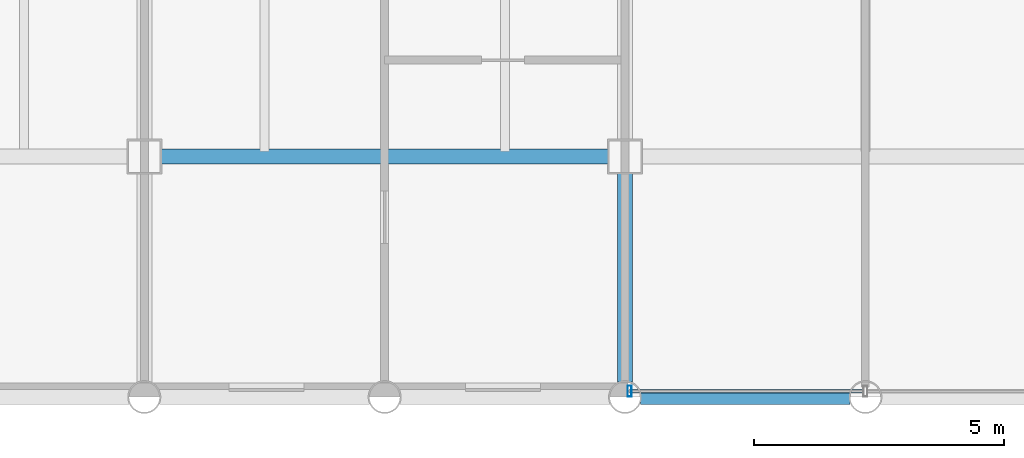
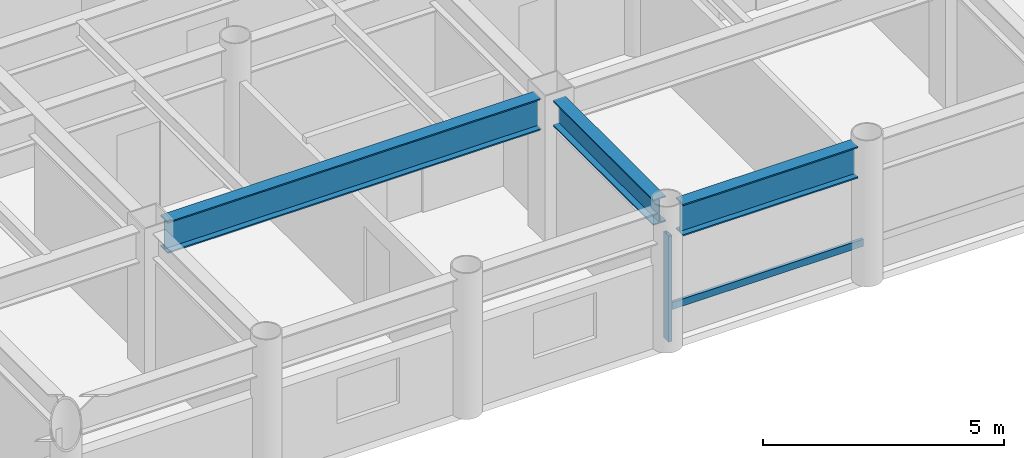
# One storey, part 2 of 20: 3 beams, 2 members, 1 element without a shape of its own.
"""IFC4 building model written with IfcOpenShell, lengths in metres."""

import ifcopenshell
import ifcopenshell.guid

model = None  # the IFC model being written
_history = None  # IfcOwnerHistory: only IFC2X3 demands one
_inside = {}  # id of a spatial element -> (the spatial element, [elements in it])
_under = {}  # id of a project, library or spatial element -> (it, [spatial elements below it])
_declared = {}  # id of a project -> (the project, [libraries it declares])
_typed = {}  # id of a type object -> (the type object, [elements of that type])
_made_of = {}  # id of a material, layer set ... -> (it, [elements and type objects made of it])


def new_model(schema):
    """Start an empty IFC model of exactly this schema.

    Asked for "IFC4X3", IfcOpenShell would pick the latest addendum, in which some entities
    have other attributes; the version numbers below select the first issue.
    IFC2X3 requires an IfcOwnerHistory on every rooted entity: one is made here for all.
    """
    global model, _history
    if schema == "IFC4X3":
        model = ifcopenshell.file(schema_version=(4, 3, 0, 0))
    else:
        model = ifcopenshell.file(schema=schema)
    _inside.clear()
    _under.clear()
    _declared.clear()
    _typed.clear()
    _made_of.clear()
    _history = None
    if model.schema == "IFC2X3":
        org = make("IfcOrganization", Name="unknown")
        user = make(
            "IfcPersonAndOrganization",
            ThePerson=make("IfcPerson", FamilyName="unknown"),
            TheOrganization=org,
        )
        app = make(
            "IfcApplication",
            ApplicationDeveloper=org,
            Version="unknown",
            ApplicationFullName="unknown",
            ApplicationIdentifier="unknown",
        )
        _history = make(
            "IfcOwnerHistory",
            OwningUser=user,
            OwningApplication=app,
            ChangeAction="ADDED",
            CreationDate=0,
        )
    return model


def make(cls, **values):
    """One entity of the class cls with the attributes given. An attribute that is None is left unset."""
    return model.create_entity(
        cls, **{name: value for name, value in values.items() if value is not None}
    )


def rooted(cls, **values):
    """An entity with a GlobalId (a new one), such as an element, a storey or a relation."""
    return make(cls, GlobalId=ifcopenshell.guid.new(), OwnerHistory=_history, **values)


def si_unit(unit_type, name, prefix=None):
    """IfcSIUnit, for example si_unit("LENGTHUNIT", "METRE", prefix="MILLI")."""
    return make("IfcSIUnit", UnitType=unit_type, Prefix=prefix, Name=name)


def assignment(units):
    """IfcUnitAssignment: the units of a project."""
    return None if units is None else make("IfcUnitAssignment", Units=units)


def point(xyz):
    """IfcCartesianPoint."""
    return None if xyz is None else make("IfcCartesianPoint", Coordinates=xyz)


def direction(xyz):
    """IfcDirection."""
    return None if xyz is None else make("IfcDirection", DirectionRatios=xyz)


def frame(location, z_axis=None, x_axis=None):
    """IfcAxis2Placement3D, a coordinate frame: its origin and axes. An axis left out is left unset."""
    return make(
        "IfcAxis2Placement3D",
        Location=point(location),
        Axis=direction(z_axis),
        RefDirection=direction(x_axis),
    )


def frame_2d(location, x_axis=None):
    """IfcAxis2Placement2D, a coordinate frame in the plane: its origin and x axis."""
    return make(
        "IfcAxis2Placement2D", Location=point(location), RefDirection=direction(x_axis)
    )


def origin():
    """The frame at (0, 0, 0) with its axes left unset."""
    return frame((0.0, 0.0, 0.0))


def origin_2d():
    """The frame at (0, 0) in the plane with its x axis left unset."""
    return frame_2d((0.0, 0.0))


def place(relative_to, where):
    """IfcLocalPlacement: puts the frame where relative to a parent placement (None: the world)."""
    return make(
        "IfcLocalPlacement", PlacementRelTo=relative_to, RelativePlacement=where
    )


def context(
    kind, dimensions, precision=None, world=None, true_north=None, identifier=None
):
    """IfcGeometricRepresentationContext, for example the 3D "Model" context."""
    return make(
        "IfcGeometricRepresentationContext",
        ContextIdentifier=identifier,
        ContextType=kind,
        CoordinateSpaceDimension=dimensions,
        Precision=precision,
        WorldCoordinateSystem=world,
        TrueNorth=true_north,
    )


def subcontext(parent, identifier, kind, view, scale=None):
    """IfcGeometricRepresentationSubContext, for example "Body" below "Model"."""
    return make(
        "IfcGeometricRepresentationSubContext",
        ContextIdentifier=identifier,
        ContextType=kind,
        ParentContext=parent,
        TargetScale=scale,
        TargetView=view,
    )


def project(units=None, contexts=None):
    """IfcProject with its units and contexts."""
    return rooted(
        "IfcProject",
        Name="project",
        RepresentationContexts=contexts,
        UnitsInContext=assignment(units),
    )


def spatial(cls, under=None, at=None, **own):
    """A site, building, storey or space (cls), placed at a placement, below another one or the project."""
    s = rooted(cls, ObjectPlacement=at, **own)
    if under is not None:
        _under.setdefault(under.id(), (under, []))[1].append(s)
    return s


def profile(cls, at=None, kind="AREA", **sizes):
    """A parametric profile (cls). Its sizes go by their IFC names, for example OverallWidth=200.0."""
    return make(cls, ProfileType=kind, Position=at, **sizes)


def hollow_rectangle(**sizes):
    """IfcRectangleHollowProfileDef."""
    return profile("IfcRectangleHollowProfileDef", **sizes)


def i_section(**sizes):
    """IfcIShapeProfileDef."""
    return profile("IfcIShapeProfileDef", **sizes)


def extrude(swept, where, along, depth):
    """IfcExtrudedAreaSolid: the profile swept, set in the frame where, extruded along a direction by depth."""
    return make(
        "IfcExtrudedAreaSolid",
        SweptArea=swept,
        Position=where,
        ExtrudedDirection=direction(along),
        Depth=depth,
    )


def shape(context_of_items, identifier, shape_type, items):
    """IfcShapeRepresentation: the items that make up one representation, for example the "Body"."""
    return make(
        "IfcShapeRepresentation",
        ContextOfItems=context_of_items,
        RepresentationIdentifier=identifier,
        RepresentationType=shape_type,
        Items=items,
    )


def material(Name=None, Category=None):
    """IfcMaterial."""
    return make("IfcMaterial", Name=Name, Category=Category)


def layer(
    of_material, thickness, ventilated=None, Name=None, Category=None, Priority=None
):
    """IfcMaterialLayer: one layer of a wall or slab, of a material (None: an air gap)."""
    return make(
        "IfcMaterialLayer",
        Material=of_material,
        LayerThickness=thickness,
        IsVentilated=ventilated,
        Name=Name,
        Category=Category,
        Priority=Priority,
    )


def layer_set(layers, Name=None):
    """IfcMaterialLayerSet."""
    return make("IfcMaterialLayerSet", MaterialLayers=layers, LayerSetName=Name)


def material_profile(
    of_material, cross_section, Name=None, Category=None, Priority=None
):
    """IfcMaterialProfile: a cross section and its material."""
    return make(
        "IfcMaterialProfile",
        Name=Name,
        Material=of_material,
        Profile=cross_section,
        Priority=Priority,
        Category=Category,
    )


def profile_set(profiles, Name=None, composite=None):
    """IfcMaterialProfileSet."""
    return make(
        "IfcMaterialProfileSet",
        Name=Name,
        MaterialProfiles=profiles,
        CompositeProfile=composite,
    )


def made_of(thing, what):
    """Note that an element or type object is made of a material, layer set ...; save() writes the relation."""
    if what is not None:
        _made_of.setdefault(what.id(), (what, []))[1].append(thing)
    return thing


def type_object(cls, material=None, **own):
    """A type object (cls), such as IfcWallType, which elements share."""
    return made_of(rooted(cls, **own), material)


def element(
    cls,
    number,
    at=None,
    inside=None,
    cuts=None,
    type_object=None,
    material=None,
    context=None,
    identifier="Body",
    shape_type=None,
    held_by="IfcProductDefinitionShape",
    body=None,
    shapes=None,
    **own,
):
    """One element of the class cls, such as IfcWall. Its Tag is "e" and its number.

    at: its placement. inside: the storey or other place that contains it. cuts: it is an
    opening in that element (IfcRelVoidsElement). A single representation is given by context,
    identifier, shape_type and body (its items); several are given by shapes. held_by: the class
    of the entity that holds the representations. save() writes the other relations.
    """
    e = rooted(cls, Tag="e%d" % number, ObjectPlacement=at, **own)
    if body is not None:
        shapes = [shape(context, identifier, shape_type, body)]
    if shapes is not None:
        e.Representation = make(held_by, Representations=shapes)
    if inside is not None:
        _inside.setdefault(inside.id(), (inside, []))[1].append(e)
    if cuts is not None:
        rooted(
            "IfcRelVoidsElement", RelatingBuildingElement=cuts, RelatedOpeningElement=e
        )
    if type_object is not None:
        _typed.setdefault(type_object.id(), (type_object, []))[1].append(e)
    return made_of(e, material)


def aggregate(whole, parts):
    """IfcRelAggregates: a whole, such as a stair, and the parts it consists of."""
    return rooted("IfcRelAggregates", RelatingObject=whole, RelatedObjects=parts)


def save(model, path):
    """Write the relations noted so far, then the file.

    IfcRelAggregates (storeys below a building ...), IfcRelContainedInSpatialStructure (elements
    in a storey), IfcRelDefinesByType, IfcRelAssociatesMaterial and IfcRelDeclares: one each for
    every whole, place, type object, material and project.
    """
    for whole, parts in _under.values():
        aggregate(whole, parts)
    for where, things in _inside.values():
        rooted(
            "IfcRelContainedInSpatialStructure",
            RelatedElements=things,
            RelatingStructure=where,
        )
    for kind, things in _typed.values():
        rooted("IfcRelDefinesByType", RelatedObjects=things, RelatingType=kind)
    for what, things in _made_of.values():
        rooted("IfcRelAssociatesMaterial", RelatedObjects=things, RelatingMaterial=what)
    for by, libraries in _declared.values():
        rooted("IfcRelDeclares", RelatingContext=by, RelatedDefinitions=libraries)
    model.write(path)


model = new_model("IFC4")

# Units and contexts
model_context = context("Model", 3, precision=1e-05, world=origin(), true_north=direction((0.0, 1.0)))
body_context = subcontext(model_context, "Body", "Model", "MODEL_VIEW")
ifc_project = project(units=[si_unit("LENGTHUNIT", "METRE"), si_unit("AREAUNIT", "SQUARE_METRE"), si_unit("VOLUMEUNIT", "CUBIC_METRE"), si_unit("PLANEANGLEUNIT", "RADIAN"), si_unit("MASSUNIT", "GRAM", prefix="KILO")], contexts=[model_context])

# Site, building, storey
site_placement = place(None, origin())
site = spatial("IfcSite", under=ifc_project, at=site_placement, CompositionType="ELEMENT")
building_placement = place(site_placement, origin())
building = spatial("IfcBuilding", under=site, at=building_placement, Name="Kallvorn Hotel Tower", CompositionType="ELEMENT")
storey_placement = place(building_placement, frame((0.0, 0.0, 143.300048828125)))
storey = spatial("IfcBuildingStorey", under=building, at=storey_placement, Name="L35", CompositionType="ELEMENT", Elevation=143.300048828125)

# Beams
ifc_material_1 = material(Name="Structural steel S355JR", Category="steel")
ifc_material_profile_1 = material_profile(ifc_material_1, i_section(OverallWidth=0.300048828125, OverallDepth=0.64990234375, WebThickness=0.01611328125, FlangeThickness=0.031005859375, at=origin_2d()), Name="HE 650 B")
ifc_profile_set_1 = profile_set([ifc_material_profile_1], Name="Structural steel S355JR")
beam_type_1 = type_object("IfcBeamType", Name="BM_HE650B", PredefinedType="BEAM", material=ifc_profile_set_1)
beam_1_placement = place(storey_placement, frame((-4.800048828125, -18.89501953125, 3.195068359375), z_axis=(0.0, 1.0, 0.0), x_axis=(-1.0, 0.0, 0.0)))
element("IfcBeam", 1, at=beam_1_placement, inside=storey, type_object=beam_type_1, Name="L36 Primary Y-Girder 106", PredefinedType="BEAM", context=body_context, shape_type="SweptSolid", body=[
    extrude(i_section(OverallWidth=0.300048828125, OverallDepth=0.64990234375, WebThickness=0.01611328125, FlangeThickness=0.031005859375, at=origin_2d()), origin(), (0.0, 0.0, 1.0), 4.169921875),
])
ifc_material_2 = material(Name="Structural steel S355JR", Category="steel")
ifc_material_profile_2 = material_profile(ifc_material_2, i_section(OverallWidth=0.300048828125, OverallDepth=0.800048828125, WebThickness=0.017578125, FlangeThickness=0.032958984375, at=origin_2d()), Name="HE 800 B")
ifc_profile_set_2 = profile_set([ifc_material_profile_2], Name="Structural steel S355JR")
beam_type_2 = type_object("IfcBeamType", Name="BM_HE800B", PredefinedType="BEAM", material=ifc_profile_set_2)
beam_2_placement = place(storey_placement, frame((-4.4951171875, -19.199951171875, 3.119873046875), z_axis=(1.0, 0.0, 0.0), x_axis=(0.0, 1.0, 0.0)))
element("IfcBeam", 2, at=beam_2_placement, inside=storey, type_object=beam_type_2, Name="L36 Primary X-Girder 06", PredefinedType="BEAM", context=body_context, shape_type="SweptSolid", body=[
    extrude(i_section(OverallWidth=0.300048828125, OverallDepth=0.800048828125, WebThickness=0.017578125, FlangeThickness=0.032958984375, at=origin_2d()), origin(), (0.0, 0.0, 1.0), 4.190185546875),
])
beam_3_placement = place(storey_placement, frame((-14.074951171875, -14.39990234375, 3.119873046875), z_axis=(1.0, 0.0, 0.0), x_axis=(0.0, 1.0, 0.0)))
element("IfcBeam", 3, at=beam_3_placement, inside=storey, type_object=beam_type_2, Name="L36 Primary X-Girder 17", PredefinedType="BEAM", context=body_context, shape_type="SweptSolid", body=[
    extrude(i_section(OverallWidth=0.300048828125, OverallDepth=0.800048828125, WebThickness=0.017578125, FlangeThickness=0.032958984375, at=origin_2d()), origin(), (0.0, 0.0, 1.0), 8.949951171875),
])

# Curtain wall, members
ifc_material_3 = material(Name="Thermally broken black-anodised aluminium AA 6063-T6", Category="aluminium")
ifc_layer = layer(ifc_material_3, 0.2099609375)
ifc_layer_set = layer_set([ifc_layer], Name="CW_SYS_4_HOTEL_MID")
curtain_wall_type = type_object("IfcCurtainWallType", Name="CW_SYS_4_HOTEL_MID", PredefinedType="USERDEFINED", material=ifc_layer_set)
curtain_wall_placement = place(storey_placement, origin())
curtain_wall = element("IfcCurtainWall", 4, at=curtain_wall_placement, inside=storey, type_object=curtain_wall_type, Name="L35 Dark-Glass Curtain Wall CW-L35-SC", ObjectType="UNITISED CURTAIN WALL", PredefinedType="USERDEFINED")
ifc_material_4 = material(Name="Thermally broken black-anodised aluminium AA 6063-T6", Category="aluminium")
ifc_material_profile_3 = material_profile(ifc_material_4, hollow_rectangle(XDim=0.080078125, YDim=0.219970703125, WallThickness=0.0048828125, at=origin_2d()), Name="MUL 220x80")
ifc_profile_set_3 = profile_set([ifc_material_profile_3], Name="Thermally broken black-anodised aluminium AA 6063-T6")
member_type_1 = type_object("IfcMemberType", Name="CW_MULLION_220x80", PredefinedType="MULLION", material=ifc_profile_set_3)
member_1_placement = place(storey_placement, frame((-4.7099609375, -19.080078125, 0.02001953125), z_axis=(0.0, 0.0, 1.0), x_axis=(1.0, 0.0, 0.0)))
member_1 = element("IfcMember", 5, at=member_1_placement, type_object=member_type_1, Name="CW-L35-SC Mullion 00", PredefinedType="MULLION", context=body_context, shape_type="SweptSolid", body=[
    extrude(hollow_rectangle(XDim=0.080078125, YDim=0.219970703125, WallThickness=0.0048828125, at=origin_2d()), origin(), (0.0, 0.0, 1.0), 2.679931640625),
])
ifc_material_5 = material(Name="Thermally broken black-anodised aluminium AA 6063-T6", Category="aluminium")
ifc_material_profile_4 = material_profile(ifc_material_5, hollow_rectangle(XDim=0.070068359375, YDim=0.179931640625, WallThickness=0.00390625, at=origin_2d()), Name="TRN 180x70")
ifc_profile_set_4 = profile_set([ifc_material_profile_4], Name="Thermally broken black-anodised aluminium AA 6063-T6")
member_type_2 = type_object("IfcMemberType", Name="CW_TRANSOM_180x70", PredefinedType="USERDEFINED", material=ifc_profile_set_4)
member_2_placement = place(storey_placement, frame((-4.7099609375, -19.080078125, 0.849853515625), z_axis=(1.0, 0.0, 0.0), x_axis=(0.0, 1.0, 0.0)))
member_2 = element("IfcMember", 6, at=member_2_placement, type_object=member_type_2, Name="CW-L35-SC Transom 00M", ObjectType="TRANSOM", PredefinedType="USERDEFINED", context=body_context, shape_type="SweptSolid", body=[
    extrude(hollow_rectangle(XDim=0.070068359375, YDim=0.179931640625, WallThickness=0.00390625, at=origin_2d()), origin(), (0.0, 0.0, 1.0), 4.669921875),
])
aggregate(curtain_wall, [member_1, member_2])

save(model, "model.ifc")
